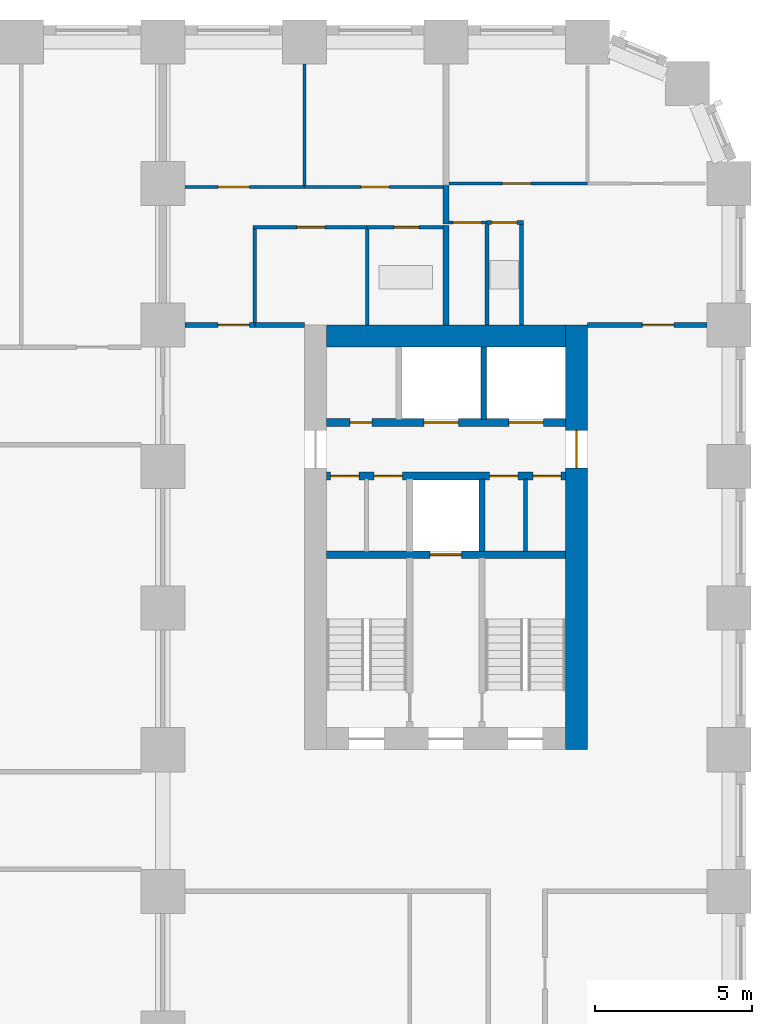
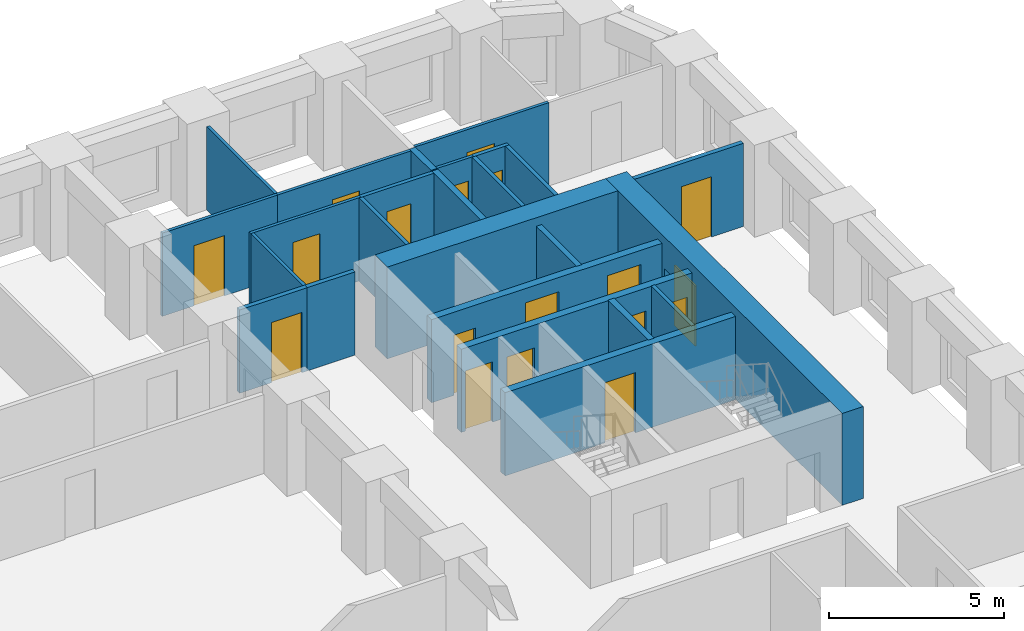
# One storey, part 8 of 12: 25 walls, 18 doors, 18 openings.
"""IFC4 building model written with IfcOpenShell, lengths in metres."""

from ifc_helpers import new_model, si_unit, direction, frame, frame_2d, origin, place, context, subcontext, project, spatial, rectangle, extrude, material, layer, layer_set, type_object, element, fill, save


model = new_model("IFC4")

# Units and contexts
model_context = context("Model", 3, precision=1e-05, world=origin(), true_north=direction((0.0, 1.0)))
body_context = subcontext(model_context, "Body", "Model", "MODEL_VIEW")
ifc_project = project(units=[si_unit("LENGTHUNIT", "METRE"), si_unit("AREAUNIT", "SQUARE_METRE"), si_unit("VOLUMEUNIT", "CUBIC_METRE"), si_unit("PLANEANGLEUNIT", "RADIAN"), si_unit("MASSUNIT", "GRAM", prefix="KILO")], contexts=[model_context])

# Site, building, storey
site_placement = place(None, origin())
site = spatial("IfcSite", under=ifc_project, at=site_placement, CompositionType="ELEMENT")
building_placement = place(site_placement, origin())
building = spatial("IfcBuilding", under=site, at=building_placement, Name="Girih Gate Residences", CompositionType="ELEMENT")
storey_placement = place(building_placement, frame((0.0, 0.0, 62.39990234375)))
storey = spatial("IfcBuildingStorey", under=building, at=storey_placement, Name="L16", CompositionType="ELEMENT", Elevation=62.39990234375)

# Wall, opening, door
ifc_material_1 = material(Name="Gypsum board on steel studs", Category="steel")
ifc_layer_1 = layer(ifc_material_1, 0.14990234375)
ifc_layer_set_1 = layer_set([ifc_layer_1], Name="Compartment wall 150 mm")
wall_type_1 = type_object("IfcWallType", Name="Compartment wall 150 mm", PredefinedType="PARTITIONING", material=ifc_layer_set_1)
wall_1_placement = place(storey_placement, frame((45.0, 40.5, 0.0), z_axis=(0.0, 0.0, 1.0), x_axis=(1.0, 0.0, 0.0)))
wall_1 = element("IfcWall", 1, at=wall_1_placement, inside=storey, type_object=wall_type_1, Name="L16 partition", PredefinedType="PARTITIONING", context=body_context, shape_type="SweptSolid", body=[
    extrude(rectangle(XDim=3.800048828125, YDim=0.14990234375, at=frame_2d((1.89990234375, 0.0))), origin(), (0.0, 0.0, 1.0), 2.900146484375),
])
opening_1_placement = place(wall_1_placement, frame((1.75, 0.0, 0.0)))
opening_1 = element("IfcOpeningElement", 2, at=opening_1_placement, cuts=wall_1, Name="Opening A16-032", PredefinedType="OPENING", context=body_context, shape_type="SweptSolid", body=[
    extrude(rectangle(XDim=1.0, YDim=2.10009765625, at=frame_2d((0.5, 1.050048828125))), frame((0.0, 0.0849609375, 0.0), z_axis=(0.0, -1.0, 0.0), x_axis=(1.0, 0.0, 0.0)), (0.0, 0.0, 1.0), 0.169921875),
])
ifc_material_2 = material(Name="Timber, fire-rated core", Category="wood")
door_type_1 = type_object("IfcDoorType", Name="Flat entrance door 1000x2100 FD30S", OperationType="NOTDEFINED", PredefinedType="DOOR", material=ifc_material_2)
door_1_placement = place(opening_1_placement, origin())
door_1 = element("IfcDoor", 3, at=door_1_placement, inside=storey, type_object=door_type_1, Name="Door A16-032", OperationType="SINGLE_SWING_RIGHT", OverallHeight=2.10009765625, OverallWidth=1.0, PredefinedType="DOOR", context=body_context, shape_type="SweptSolid", body=[
    extrude(rectangle(XDim=1.0, YDim=2.10009765625, at=frame_2d((0.5, 1.050048828125))), frame((0.0, 0.02490234375, 0.0), z_axis=(0.0, -1.0, 0.0), x_axis=(1.0, 0.0, 0.0)), (0.0, 0.0, 1.0), 0.050048828125),
])
fill(opening_1, door_1)

wall_2_placement = place(storey_placement, frame((32.199951171875, 40.5, 0.0), z_axis=(0.0, 0.0, 1.0), x_axis=(1.0, 0.0, 0.0)))
wall_2 = element("IfcWall", 4, at=wall_2_placement, inside=storey, type_object=wall_type_1, Name="L16 partition", PredefinedType="PARTITIONING", context=body_context, shape_type="SweptSolid", body=[
    extrude(rectangle(XDim=2.22509765625, YDim=0.14990234375, at=frame_2d((1.112548828125, 0.0))), origin(), (0.0, 0.0, 1.0), 2.900146484375),
])
opening_2_placement = place(wall_2_placement, frame((1.050048828125, 0.0, 0.0)))
opening_2 = element("IfcOpeningElement", 5, at=opening_2_placement, cuts=wall_2, Name="Opening A16-037", PredefinedType="OPENING", context=body_context, shape_type="SweptSolid", body=[
    extrude(rectangle(XDim=1.0, YDim=2.10009765625, at=frame_2d((0.5, 1.050048828125))), frame((0.0, 0.0849609375, 0.0), z_axis=(0.0, -1.0, 0.0), x_axis=(1.0, 0.0, 0.0)), (0.0, 0.0, 1.0), 0.169921875),
])
door_2_placement = place(opening_2_placement, origin())
door_2 = element("IfcDoor", 6, at=door_2_placement, inside=storey, type_object=door_type_1, Name="Door A16-037", OperationType="SINGLE_SWING_RIGHT", OverallHeight=2.10009765625, OverallWidth=1.0, PredefinedType="DOOR", context=body_context, shape_type="SweptSolid", body=[
    extrude(rectangle(XDim=1.0, YDim=2.10009765625, at=frame_2d((0.5, 1.050048828125))), frame((0.0, 0.02490234375, 0.0), z_axis=(0.0, -1.0, 0.0), x_axis=(1.0, 0.0, 0.0)), (0.0, 0.0, 1.0), 0.050048828125),
])
fill(opening_2, door_2)

# Walls
wall_3_placement = place(storey_placement, frame((34.425048828125, 40.5, 0.0), z_axis=(0.0, 0.0, 1.0), x_axis=(1.0, 0.0, 0.0)))
element("IfcWall", 7, at=wall_3_placement, inside=storey, type_object=wall_type_1, Name="L16 partition", PredefinedType="PARTITIONING", context=body_context, shape_type="SweptSolid", body=[
    extrude(rectangle(XDim=1.574951171875, YDim=0.14990234375, at=frame_2d((0.78759765625, 0.0))), origin(), (0.0, 0.0, 1.0), 2.900146484375),
])
ifc_material_3 = material(Name="Concrete C60/75", Category="concrete")
ifc_layer_2 = layer(ifc_material_3, 0.699951171875)
ifc_layer_set_2 = layer_set([ifc_layer_2], Name="Core wall RC 700 Concrete C60/75")
wall_type_2 = type_object("IfcWallType", Name="Core wall RC 700 Concrete C60/75", PredefinedType="SOLIDWALL", material=ifc_layer_set_2)
wall_4_placement = place(storey_placement, frame((36.699951171875, 40.14990234375, 0.0), z_axis=(0.0, 0.0, 1.0), x_axis=(1.0, 0.0, 0.0)))
element("IfcWall", 8, at=wall_4_placement, inside=storey, type_object=wall_type_2, Name="Core wall E-N L16", PredefinedType="SOLIDWALL", context=body_context, shape_type="SweptSolid", body=[
    extrude(rectangle(XDim=7.60009765625, YDim=0.699951171875, at=frame_2d((3.800048828125, 0.0))), origin(), (0.0, 0.0, 1.0), 3.2001953125),
])

# Wall, opening, door
wall_5_placement = place(storey_placement, frame((44.64990234375, 27.0, 0.0), z_axis=(0.0, 0.0, 1.0), x_axis=(0.0, 1.0, 0.0)))
wall_5 = element("IfcWall", 9, at=wall_5_placement, inside=storey, type_object=wall_type_2, Name="Core wall E-E L16", PredefinedType="SOLIDWALL", context=body_context, shape_type="SweptSolid", body=[
    extrude(rectangle(XDim=13.5, YDim=0.699951171875, at=frame_2d((6.75, 0.0))), origin(), (0.0, 0.0, 1.0), 3.2001953125),
])
opening_3_placement = place(wall_5_placement, frame((8.949951171875, 0.0, 0.0)))
opening_3 = element("IfcOpeningElement", 10, at=opening_3_placement, cuts=wall_5, Name="Opening D-L16-E-015", PredefinedType="OPENING", context=body_context, shape_type="SweptSolid", body=[
    extrude(rectangle(XDim=1.199951171875, YDim=2.10009765625, at=frame_2d((0.60009765625, 1.050048828125))), frame((0.0, 0.35986328125, 0.0), z_axis=(0.0, -1.0, 0.0), x_axis=(1.0, 0.0, 0.0)), (0.0, 0.0, 1.0), 0.719970703125),
])
ifc_material_4 = material(Name="Painted steel, fire-resisting", Category="steel")
door_type_2 = type_object("IfcDoorType", Name="Fire door 1200x2100", OperationType="SINGLE_SWING_LEFT", PredefinedType="DOOR", material=ifc_material_4)
door_3_placement = place(opening_3_placement, origin())
door_3 = element("IfcDoor", 11, at=door_3_placement, inside=storey, type_object=door_type_2, Name="L16 E core door ll-e", OperationType="SINGLE_SWING_LEFT", OverallHeight=2.10009765625, OverallWidth=1.199951171875, PredefinedType="DOOR", context=body_context, shape_type="SweptSolid", body=[
    extrude(rectangle(XDim=1.199951171875, YDim=2.10009765625, at=frame_2d((0.60009765625, 1.050048828125))), frame((0.0, 0.02490234375, 0.0), z_axis=(0.0, -1.0, 0.0), x_axis=(1.0, 0.0, 0.0)), (0.0, 0.0, 1.0), 0.050048828125),
])
fill(opening_3, door_3)

ifc_material_5 = material(Name="Concrete C40/50", Category="concrete")
ifc_layer_3 = layer(ifc_material_5, 0.25)
ifc_layer_set_3 = layer_set([ifc_layer_3], Name="Lift shaft wall 250")
wall_type_3 = type_object("IfcWallType", Name="Lift shaft wall 250", PredefinedType="SOLIDWALL", material=ifc_layer_set_3)
wall_6_placement = place(storey_placement, frame((36.699951171875, 33.199951171875, 0.0), z_axis=(0.0, 0.0, 1.0), x_axis=(1.0, 0.0, 0.0)))
wall_6 = element("IfcWall", 12, at=wall_6_placement, inside=storey, type_object=wall_type_3, Name="L16 E core wall H1", PredefinedType="SOLIDWALL", context=body_context, shape_type="SweptSolid", body=[
    extrude(rectangle(XDim=7.60009765625, YDim=0.25, at=frame_2d((3.800048828125, 0.0))), origin(), (0.0, 0.0, 1.0), 2.900146484375),
])
opening_4_placement = place(wall_6_placement, frame((3.300048828125, 0.0, 0.0)))
opening_4 = element("IfcOpeningElement", 13, at=opening_4_placement, cuts=wall_6, Name="Opening D-L16-E-005", PredefinedType="OPENING", context=body_context, shape_type="SweptSolid", body=[
    extrude(rectangle(XDim=1.0, YDim=2.10009765625, at=frame_2d((0.5, 1.050048828125))), frame((0.0, 0.135009765625, 0.0), z_axis=(0.0, -1.0, 0.0), x_axis=(1.0, 0.0, 0.0)), (0.0, 0.0, 1.0), 0.27001953125),
])
ifc_material_6 = material(Name="Stainless steel, fire-resisting", Category="steel")
door_type_3 = type_object("IfcDoorType", Name="Firefighting lift landing door 1000x2100", OperationType="SLIDING_TO_LEFT", PredefinedType="DOOR", material=ifc_material_6)
door_4_placement = place(opening_4_placement, origin())
door_4 = element("IfcDoor", 14, at=door_4_placement, inside=storey, type_object=door_type_3, Name="L16 lift FF-E landing door", OperationType="SLIDING_TO_LEFT", OverallHeight=2.10009765625, OverallWidth=1.0, PredefinedType="DOOR", context=body_context, shape_type="SweptSolid", body=[
    extrude(rectangle(XDim=1.0, YDim=2.10009765625, at=frame_2d((0.5, 1.050048828125))), frame((0.0, 0.02490234375, 0.0), z_axis=(0.0, -1.0, 0.0), x_axis=(1.0, 0.0, 0.0)), (0.0, 0.0, 1.0), 0.050048828125),
])
fill(opening_4, door_4)

# Wall, openings, doors
wall_7_placement = place(storey_placement, frame((36.699951171875, 35.699951171875, 0.0), z_axis=(0.0, 0.0, 1.0), x_axis=(1.0, 0.0, 0.0)))
wall_7 = element("IfcWall", 15, at=wall_7_placement, inside=storey, type_object=wall_type_3, Name="L16 E core wall H2", PredefinedType="SOLIDWALL", context=body_context, shape_type="SweptSolid", body=[
    extrude(rectangle(XDim=7.60009765625, YDim=0.25, at=frame_2d((3.800048828125, 0.0))), origin(), (0.0, 0.0, 1.0), 2.900146484375),
])
opening_5_placement = place(wall_7_placement, frame((6.5625, 0.0, 0.0)))
opening_5 = element("IfcOpeningElement", 16, at=opening_5_placement, cuts=wall_7, Name="Opening D-L16-E-007", PredefinedType="OPENING", context=body_context, shape_type="SweptSolid", body=[
    extrude(rectangle(XDim=0.89990234375, YDim=2.10009765625, at=frame_2d((0.449951171875, 1.050048828125))), frame((0.0, 0.135009765625, 0.0), z_axis=(0.0, -1.0, 0.0), x_axis=(1.0, 0.0, 0.0)), (0.0, 0.0, 1.0), 0.27001953125),
])
opening_6_placement = place(wall_7_placement, frame((5.1875, 0.0, 0.0)))
opening_6 = element("IfcOpeningElement", 17, at=opening_6_placement, cuts=wall_7, Name="Opening D-L16-E-008", PredefinedType="OPENING", context=body_context, shape_type="SweptSolid", body=[
    extrude(rectangle(XDim=0.89990234375, YDim=2.10009765625, at=frame_2d((0.449951171875, 1.050048828125))), frame((0.0, 0.135009765625, 0.0), z_axis=(0.0, -1.0, 0.0), x_axis=(1.0, 0.0, 0.0)), (0.0, 0.0, 1.0), 0.27001953125),
])
opening_7_placement = place(wall_7_placement, frame((1.512451171875, 0.0, 0.0)))
opening_7 = element("IfcOpeningElement", 18, at=opening_7_placement, cuts=wall_7, Name="Opening D-L16-E-009", PredefinedType="OPENING", context=body_context, shape_type="SweptSolid", body=[
    extrude(rectangle(XDim=0.89990234375, YDim=2.10009765625, at=frame_2d((0.449951171875, 1.050048828125))), frame((0.0, 0.135009765625, 0.0), z_axis=(0.0, -1.0, 0.0), x_axis=(1.0, 0.0, 0.0)), (0.0, 0.0, 1.0), 0.27001953125),
])
opening_8_placement = place(wall_7_placement, frame((0.137451171875, 0.0, 0.0)))
opening_8 = element("IfcOpeningElement", 19, at=opening_8_placement, cuts=wall_7, Name="Opening D-L16-E-010", PredefinedType="OPENING", context=body_context, shape_type="SweptSolid", body=[
    extrude(rectangle(XDim=0.89990234375, YDim=2.10009765625, at=frame_2d((0.449951171875, 1.050048828125))), frame((0.0, 0.135009765625, 0.0), z_axis=(0.0, -1.0, 0.0), x_axis=(1.0, 0.0, 0.0)), (0.0, 0.0, 1.0), 0.27001953125),
])
door_type_4 = type_object("IfcDoorType", Name="Fire door 900x2100", OperationType="SINGLE_SWING_LEFT", PredefinedType="DOOR", material=ifc_material_4)
door_5_placement = place(opening_5_placement, origin())
door_5 = element("IfcDoor", 20, at=door_5_placement, inside=storey, type_object=door_type_4, Name="L16 E electrical room door", OperationType="SINGLE_SWING_LEFT", OverallHeight=2.10009765625, OverallWidth=0.89990234375, PredefinedType="DOOR", context=body_context, shape_type="SweptSolid", body=[
    extrude(rectangle(XDim=0.89990234375, YDim=2.10009765625, at=frame_2d((0.449951171875, 1.050048828125))), frame((0.0, 0.02490234375, 0.0), z_axis=(0.0, -1.0, 0.0), x_axis=(1.0, 0.0, 0.0)), (0.0, 0.0, 1.0), 0.050048828125),
])
fill(opening_5, door_5)
door_6_placement = place(opening_6_placement, origin())
door_6 = element("IfcDoor", 21, at=door_6_placement, inside=storey, type_object=door_type_4, Name="L16 E pantry door", OperationType="SINGLE_SWING_LEFT", OverallHeight=2.10009765625, OverallWidth=0.89990234375, PredefinedType="DOOR", context=body_context, shape_type="SweptSolid", body=[
    extrude(rectangle(XDim=0.89990234375, YDim=2.10009765625, at=frame_2d((0.449951171875, 1.050048828125))), frame((0.0, 0.02490234375, 0.0), z_axis=(0.0, -1.0, 0.0), x_axis=(1.0, 0.0, 0.0)), (0.0, 0.0, 1.0), 0.050048828125),
])
fill(opening_6, door_6)
door_7_placement = place(opening_7_placement, origin())
door_7 = element("IfcDoor", 22, at=door_7_placement, inside=storey, type_object=door_type_4, Name="L16 E store door", OperationType="SINGLE_SWING_LEFT", OverallHeight=2.10009765625, OverallWidth=0.89990234375, PredefinedType="DOOR", context=body_context, shape_type="SweptSolid", body=[
    extrude(rectangle(XDim=0.89990234375, YDim=2.10009765625, at=frame_2d((0.449951171875, 1.050048828125))), frame((0.0, 0.02490234375, 0.0), z_axis=(0.0, -1.0, 0.0), x_axis=(1.0, 0.0, 0.0)), (0.0, 0.0, 1.0), 0.050048828125),
])
fill(opening_7, door_7)
door_8_placement = place(opening_8_placement, origin())
door_8 = element("IfcDoor", 23, at=door_8_placement, inside=storey, type_object=door_type_4, Name="L16 E comms room door", OperationType="SINGLE_SWING_LEFT", OverallHeight=2.10009765625, OverallWidth=0.89990234375, PredefinedType="DOOR", context=body_context, shape_type="SweptSolid", body=[
    extrude(rectangle(XDim=0.89990234375, YDim=2.10009765625, at=frame_2d((0.449951171875, 1.050048828125))), frame((0.0, 0.02490234375, 0.0), z_axis=(0.0, -1.0, 0.0), x_axis=(1.0, 0.0, 0.0)), (0.0, 0.0, 1.0), 0.050048828125),
])
fill(opening_8, door_8)

wall_8_placement = place(storey_placement, frame((36.699951171875, 37.39990234375, 0.0), z_axis=(0.0, 0.0, 1.0), x_axis=(1.0, 0.0, 0.0)))
wall_8 = element("IfcWall", 24, at=wall_8_placement, inside=storey, type_object=wall_type_3, Name="L16 E core wall H3", PredefinedType="SOLIDWALL", context=body_context, shape_type="SweptSolid", body=[
    extrude(rectangle(XDim=7.60009765625, YDim=0.25, at=frame_2d((3.800048828125, 0.0))), origin(), (0.0, 0.0, 1.0), 2.900146484375),
])
opening_9_placement = place(wall_8_placement, frame((5.800048828125, 0.0, 0.0)))
opening_9 = element("IfcOpeningElement", 25, at=opening_9_placement, cuts=wall_8, Name="Opening D-L16-E-003", PredefinedType="OPENING", context=body_context, shape_type="SweptSolid", body=[
    extrude(rectangle(XDim=1.10009765625, YDim=2.39990234375, at=frame_2d((0.550048828125, 1.199951171875))), frame((0.0, 0.135009765625, 0.0), z_axis=(0.0, -1.0, 0.0), x_axis=(1.0, 0.0, 0.0)), (0.0, 0.0, 1.0), 0.27001953125),
])
opening_10_placement = place(wall_8_placement, frame((3.10009765625, 0.0, 0.0)))
opening_10 = element("IfcOpeningElement", 26, at=opening_10_placement, cuts=wall_8, Name="Opening D-L16-E-004", PredefinedType="OPENING", context=body_context, shape_type="SweptSolid", body=[
    extrude(rectangle(XDim=1.10009765625, YDim=2.39990234375, at=frame_2d((0.550048828125, 1.199951171875))), frame((0.0, 0.135009765625, 0.0), z_axis=(0.0, -1.0, 0.0), x_axis=(1.0, 0.0, 0.0)), (0.0, 0.0, 1.0), 0.27001953125),
])
opening_11_placement = place(wall_8_placement, frame((0.75, 0.0, 0.0)))
opening_11 = element("IfcOpeningElement", 27, at=opening_11_placement, cuts=wall_8, Name="Opening D-L16-E-006", PredefinedType="OPENING", context=body_context, shape_type="SweptSolid", body=[
    extrude(rectangle(XDim=0.699951171875, YDim=2.10009765625, at=frame_2d((0.35009765625, 1.050048828125))), frame((0.0, 0.135009765625, 0.0), z_axis=(0.0, -1.0, 0.0), x_axis=(1.0, 0.0, 0.0)), (0.0, 0.0, 1.0), 0.27001953125),
])
ifc_material_7 = material(Name="Stainless steel", Category="steel")
door_type_5 = type_object("IfcDoorType", Name="Lift landing door 1100x2400", OperationType="SLIDING_TO_LEFT", PredefinedType="DOOR", material=ifc_material_7)
door_9_placement = place(opening_9_placement, origin())
door_9 = element("IfcDoor", 28, at=door_9_placement, inside=storey, type_object=door_type_5, Name="L16 lift LR-E1 landing door", OperationType="SLIDING_TO_LEFT", OverallHeight=2.39990234375, OverallWidth=1.10009765625, PredefinedType="DOOR", context=body_context, shape_type="SweptSolid", body=[
    extrude(rectangle(XDim=1.10009765625, YDim=2.39990234375, at=frame_2d((0.550048828125, 1.199951171875))), frame((0.0, 0.02490234375, 0.0), z_axis=(0.0, -1.0, 0.0), x_axis=(1.0, 0.0, 0.0)), (0.0, 0.0, 1.0), 0.050048828125),
])
fill(opening_9, door_9)
door_10_placement = place(opening_10_placement, origin())
door_10 = element("IfcDoor", 29, at=door_10_placement, inside=storey, type_object=door_type_5, Name="L16 lift LR-E2 landing door", OperationType="SLIDING_TO_LEFT", OverallHeight=2.39990234375, OverallWidth=1.10009765625, PredefinedType="DOOR", context=body_context, shape_type="SweptSolid", body=[
    extrude(rectangle(XDim=1.10009765625, YDim=2.39990234375, at=frame_2d((0.550048828125, 1.199951171875))), frame((0.0, 0.02490234375, 0.0), z_axis=(0.0, -1.0, 0.0), x_axis=(1.0, 0.0, 0.0)), (0.0, 0.0, 1.0), 0.050048828125),
])
fill(opening_10, door_10)
door_type_6 = type_object("IfcDoorType", Name="Riser access door 700x2100", OperationType="SINGLE_SWING_LEFT", PredefinedType="DOOR", material=ifc_material_4)
door_11_placement = place(opening_11_placement, origin())
door_11 = element("IfcDoor", 30, at=door_11_placement, inside=storey, type_object=door_type_6, Name="L16 E riser room door", OperationType="SINGLE_SWING_LEFT", OverallHeight=2.10009765625, OverallWidth=0.699951171875, PredefinedType="DOOR", context=body_context, shape_type="SweptSolid", body=[
    extrude(rectangle(XDim=0.699951171875, YDim=2.10009765625, at=frame_2d((0.35009765625, 1.050048828125))), frame((0.0, 0.02490234375, 0.0), z_axis=(0.0, -1.0, 0.0), x_axis=(1.0, 0.0, 0.0)), (0.0, 0.0, 1.0), 0.050048828125),
])
fill(opening_11, door_11)

# Wall, opening, door
ifc_layer_4 = layer(ifc_material_1, 0.10009765625)
ifc_layer_set_4 = layer_set([ifc_layer_4], Name="Partition 100 mm")
wall_type_4 = type_object("IfcWallType", Name="Partition 100 mm", PredefinedType="PARTITIONING", material=ifc_layer_set_4)
wall_9_placement = place(storey_placement, frame((40.60009765625, 45.0, 0.0), z_axis=(0.0, 0.0, 1.0), x_axis=(1.0, 0.0, 0.0)))
wall_9 = element("IfcWall", 31, at=wall_9_placement, inside=storey, type_object=wall_type_4, Name="L16 partition", PredefinedType="PARTITIONING", context=body_context, shape_type="SweptSolid", body=[
    extrude(rectangle(XDim=4.39990234375, YDim=0.10009765625, at=frame_2d((2.199951171875, 0.0))), origin(), (0.0, 0.0, 1.0), 2.900146484375),
])
opening_12_placement = place(wall_9_placement, frame((1.699951171875, 0.0, 0.0)))
opening_12 = element("IfcOpeningElement", 32, at=opening_12_placement, cuts=wall_9, Name="Opening A16-029", PredefinedType="OPENING", context=body_context, shape_type="SweptSolid", body=[
    extrude(rectangle(XDim=0.89990234375, YDim=2.10009765625, at=frame_2d((0.449951171875, 1.050048828125))), frame((0.0, 0.06005859375, 0.0), z_axis=(0.0, -1.0, 0.0), x_axis=(1.0, 0.0, 0.0)), (0.0, 0.0, 1.0), 0.1201171875),
])
ifc_material_8 = material(Name="Timber", Category="wood")
door_type_7 = type_object("IfcDoorType", Name="Bedroom door 900x2100", OperationType="NOTDEFINED", PredefinedType="DOOR", material=ifc_material_8)
door_12_placement = place(opening_12_placement, origin())
door_12 = element("IfcDoor", 33, at=door_12_placement, inside=storey, type_object=door_type_7, Name="Door A16-029", OperationType="SINGLE_SWING_LEFT", OverallHeight=2.10009765625, OverallWidth=0.89990234375, PredefinedType="DOOR", context=body_context, shape_type="SweptSolid", body=[
    extrude(rectangle(XDim=0.89990234375, YDim=2.10009765625, at=frame_2d((0.449951171875, 1.050048828125))), frame((0.0, 0.02490234375, 0.0), z_axis=(0.0, -1.0, 0.0), x_axis=(1.0, 0.0, 0.0)), (0.0, 0.0, 1.0), 0.050048828125),
])
fill(opening_12, door_12)

wall_10_placement = place(storey_placement, frame((41.80908203125, 43.760009765625, 0.0), z_axis=(0.0, 0.0, 1.0), x_axis=(-1.0, 0.0, 0.0)))
wall_10 = element("IfcWall", 34, at=wall_10_placement, inside=storey, type_object=wall_type_4, Name="L16 partition", PredefinedType="PARTITIONING", context=body_context, shape_type="SweptSolid", body=[
    extrude(rectangle(XDim=1.208984375, YDim=0.10009765625, at=frame_2d((0.6044921875, 0.0))), origin(), (0.0, 0.0, 1.0), 2.900146484375),
])
opening_13_placement = place(wall_10_placement, frame((0.17919921875, 0.0, 0.0)))
opening_13 = element("IfcOpeningElement", 35, at=opening_13_placement, cuts=wall_10, Name="Opening A16-030", PredefinedType="OPENING", context=body_context, shape_type="SweptSolid", body=[
    extrude(rectangle(XDim=0.89990234375, YDim=2.10009765625, at=frame_2d((0.449951171875, 1.050048828125))), frame((0.0, 0.06005859375, 0.0), z_axis=(0.0, -1.0, 0.0), x_axis=(1.0, 0.0, 0.0)), (0.0, 0.0, 1.0), 0.1201171875),
])
door_type_8 = type_object("IfcDoorType", Name="Kitchen door 900x2100", OperationType="NOTDEFINED", PredefinedType="DOOR", material=ifc_material_8)
door_13_placement = place(opening_13_placement, origin())
door_13 = element("IfcDoor", 36, at=door_13_placement, inside=storey, type_object=door_type_8, Name="Door A16-030", OperationType="SINGLE_SWING_RIGHT", OverallHeight=2.10009765625, OverallWidth=0.89990234375, PredefinedType="DOOR", context=body_context, shape_type="SweptSolid", body=[
    extrude(rectangle(XDim=0.89990234375, YDim=2.10009765625, at=frame_2d((0.449951171875, 1.050048828125))), frame((0.0, 0.02490234375, 0.0), z_axis=(0.0, -1.0, 0.0), x_axis=(1.0, 0.0, 0.0)), (0.0, 0.0, 1.0), 0.050048828125),
])
fill(opening_13, door_13)

wall_11_placement = place(storey_placement, frame((36.0, 44.889892578125, 0.0), z_axis=(0.0, 0.0, 1.0), x_axis=(1.0, 0.0, 0.0)))
wall_11 = element("IfcWall", 37, at=wall_11_placement, inside=storey, type_object=wall_type_4, Name="L16 partition", PredefinedType="PARTITIONING", context=body_context, shape_type="SweptSolid", body=[
    extrude(rectangle(XDim=4.39990234375, YDim=0.10009765625, at=frame_2d((2.199951171875, 0.0))), origin(), (0.0, 0.0, 1.0), 2.900146484375),
])
opening_14_placement = place(wall_11_placement, frame((1.800048828125, 0.0, 0.0)))
opening_14 = element("IfcOpeningElement", 38, at=opening_14_placement, cuts=wall_11, Name="Opening A16-034", PredefinedType="OPENING", context=body_context, shape_type="SweptSolid", body=[
    extrude(rectangle(XDim=0.89990234375, YDim=2.10009765625, at=frame_2d((0.449951171875, 1.050048828125))), frame((0.0, 0.06005859375, 0.0), z_axis=(0.0, -1.0, 0.0), x_axis=(1.0, 0.0, 0.0)), (0.0, 0.0, 1.0), 0.1201171875),
])
door_14_placement = place(opening_14_placement, origin())
door_14 = element("IfcDoor", 39, at=door_14_placement, inside=storey, type_object=door_type_7, Name="Door A16-034", OperationType="SINGLE_SWING_RIGHT", OverallHeight=2.10009765625, OverallWidth=0.89990234375, PredefinedType="DOOR", context=body_context, shape_type="SweptSolid", body=[
    extrude(rectangle(XDim=0.89990234375, YDim=2.10009765625, at=frame_2d((0.449951171875, 1.050048828125))), frame((0.0, 0.02490234375, 0.0), z_axis=(0.0, -1.0, 0.0), x_axis=(1.0, 0.0, 0.0)), (0.0, 0.0, 1.0), 0.050048828125),
])
fill(opening_14, door_14)

# Wall
wall_12_placement = place(storey_placement, frame((36.0, 44.93994140625, 0.0), z_axis=(0.0, 0.0, 1.0), x_axis=(0.0, 1.0, 0.0)))
element("IfcWall", 40, at=wall_12_placement, inside=storey, type_object=wall_type_4, Name="L16 partition", PredefinedType="PARTITIONING", context=body_context, shape_type="SweptSolid", body=[
    extrude(rectangle(XDim=3.860107421875, YDim=0.10009765625, at=frame_2d((1.93017578125, 0.0))), origin(), (0.0, 0.0, 1.0), 2.900146484375),
])

# Wall, opening, door
wall_13_placement = place(storey_placement, frame((37.99951171875, 43.610107421875, 0.0), z_axis=(0.0, 0.0, 1.0), x_axis=(-1.0, 0.0, 0.0)))
wall_13 = element("IfcWall", 41, at=wall_13_placement, inside=storey, type_object=wall_type_4, Name="L16 partition", PredefinedType="PARTITIONING", context=body_context, shape_type="SweptSolid", body=[
    extrude(rectangle(XDim=3.62451171875, YDim=0.10009765625, at=frame_2d((1.812255859375, 0.0))), origin(), (0.0, 0.0, 1.0), 2.900146484375),
])
opening_15_placement = place(wall_13_placement, frame((1.33740234375, 0.0, 0.0)))
opening_15 = element("IfcOpeningElement", 42, at=opening_15_placement, cuts=wall_13, Name="Opening A16-035", PredefinedType="OPENING", context=body_context, shape_type="SweptSolid", body=[
    extrude(rectangle(XDim=0.89990234375, YDim=2.10009765625, at=frame_2d((0.449951171875, 1.050048828125))), frame((0.0, 0.06005859375, 0.0), z_axis=(0.0, -1.0, 0.0), x_axis=(1.0, 0.0, 0.0)), (0.0, 0.0, 1.0), 0.1201171875),
])
door_15_placement = place(opening_15_placement, origin())
door_15 = element("IfcDoor", 43, at=door_15_placement, inside=storey, type_object=door_type_8, Name="Door A16-035", OperationType="SINGLE_SWING_LEFT", OverallHeight=2.10009765625, OverallWidth=0.89990234375, PredefinedType="DOOR", context=body_context, shape_type="SweptSolid", body=[
    extrude(rectangle(XDim=0.89990234375, YDim=2.10009765625, at=frame_2d((0.449951171875, 1.050048828125))), frame((0.0, 0.02490234375, 0.0), z_axis=(0.0, -1.0, 0.0), x_axis=(1.0, 0.0, 0.0)), (0.0, 0.0, 1.0), 0.050048828125),
])
fill(opening_15, door_15)

# Wall
wall_14_placement = place(storey_placement, frame((34.425048828125, 40.574951171875, 0.0), z_axis=(0.0, 0.0, 1.0), x_axis=(0.0, 1.0, 0.0)))
element("IfcWall", 44, at=wall_14_placement, inside=storey, type_object=wall_type_4, Name="L16 partition", PredefinedType="PARTITIONING", context=body_context, shape_type="SweptSolid", body=[
    extrude(rectangle(XDim=2.985107421875, YDim=0.10009765625, at=frame_2d((1.49267578125, 0.0))), origin(), (0.0, 0.0, 1.0), 2.900146484375),
])

# Wall, opening, door
wall_15_placement = place(storey_placement, frame((32.199951171875, 44.889892578125, 0.0), z_axis=(0.0, 0.0, 1.0), x_axis=(1.0, 0.0, 0.0)))
wall_15 = element("IfcWall", 45, at=wall_15_placement, inside=storey, type_object=wall_type_4, Name="L16 partition", PredefinedType="PARTITIONING", context=body_context, shape_type="SweptSolid", body=[
    extrude(rectangle(XDim=3.800048828125, YDim=0.10009765625, at=frame_2d((1.89990234375, 0.0))), origin(), (0.0, 0.0, 1.0), 2.900146484375),
])
opening_16_placement = place(wall_15_placement, frame((1.050048828125, 0.0, 0.0)))
opening_16 = element("IfcOpeningElement", 46, at=opening_16_placement, cuts=wall_15, Name="Opening A16-036", PredefinedType="OPENING", context=body_context, shape_type="SweptSolid", body=[
    extrude(rectangle(XDim=1.0, YDim=2.10009765625, at=frame_2d((0.5, 1.050048828125))), frame((0.0, 0.06005859375, 0.0), z_axis=(0.0, -1.0, 0.0), x_axis=(1.0, 0.0, 0.0)), (0.0, 0.0, 1.0), 0.1201171875),
])
door_type_9 = type_object("IfcDoorType", Name="Living room door 1000x2100", OperationType="NOTDEFINED", PredefinedType="DOOR", material=ifc_material_8)
door_16_placement = place(opening_16_placement, origin())
door_16 = element("IfcDoor", 47, at=door_16_placement, inside=storey, type_object=door_type_9, Name="Door A16-036", OperationType="SINGLE_SWING_LEFT", OverallHeight=2.10009765625, OverallWidth=1.0, PredefinedType="DOOR", context=body_context, shape_type="SweptSolid", body=[
    extrude(rectangle(XDim=1.0, YDim=2.10009765625, at=frame_2d((0.5, 1.050048828125))), frame((0.0, 0.02490234375, 0.0), z_axis=(0.0, -1.0, 0.0), x_axis=(1.0, 0.0, 0.0)), (0.0, 0.0, 1.0), 0.050048828125),
])
fill(opening_16, door_16)

# Walls
ifc_layer_5 = layer(ifc_material_1, 0.199951171875)
ifc_layer_set_5 = layer_set([ifc_layer_5], Name="Party wall 200 mm")
wall_type_5 = type_object("IfcWallType", Name="Party wall 200 mm", PredefinedType="PARTITIONING", material=ifc_layer_set_5)
wall_16_placement = place(storey_placement, frame((40.5, 43.7099609375, 0.0), z_axis=(0.0, 0.0, 1.0), x_axis=(0.0, 1.0, 0.0)))
element("IfcWall", 48, at=wall_16_placement, inside=storey, type_object=wall_type_5, Name="L16 partition", PredefinedType="PARTITIONING", context=body_context, shape_type="SweptSolid", body=[
    extrude(rectangle(XDim=1.22998046875, YDim=0.199951171875, at=frame_2d((0.614990234375, 0.0))), origin(), (0.0, 0.0, 1.0), 2.900146484375),
])
wall_17_placement = place(storey_placement, frame((40.5, 40.5, 0.0), z_axis=(0.0, 0.0, 1.0), x_axis=(0.0, 1.0, 0.0)))
element("IfcWall", 49, at=wall_17_placement, inside=storey, type_object=wall_type_5, Name="L16 partition", PredefinedType="PARTITIONING", context=body_context, shape_type="SweptSolid", body=[
    extrude(rectangle(XDim=3.172607421875, YDim=0.199951171875, at=frame_2d((1.58642578125, 0.0))), origin(), (0.0, 0.0, 1.0), 2.900146484375),
])
ifc_layer_6 = layer(ifc_material_5, 0.175048828125)
ifc_layer_set_6 = layer_set([ifc_layer_6], Name="Riser shaft wall 175")
wall_type_6 = type_object("IfcWallType", Name="Riser shaft wall 175", PredefinedType="SOLIDWALL", material=ifc_layer_set_6)
wall_18_placement = place(storey_placement, frame((41.699951171875, 37.5, 0.0), z_axis=(0.0, 0.0, 1.0), x_axis=(0.0, 1.0, 0.0)))
element("IfcWall", 50, at=wall_18_placement, inside=storey, type_object=wall_type_6, Name="L16 E core wall V1c", PredefinedType="SOLIDWALL", context=body_context, shape_type="SweptSolid", body=[
    extrude(rectangle(XDim=2.300048828125, YDim=0.175048828125, at=frame_2d((1.14990234375, 0.0))), origin(), (0.0, 0.0, 1.0), 2.900146484375),
])
ifc_layer_7 = layer(ifc_material_5, 0.199951171875)
ifc_layer_set_7 = layer_set([ifc_layer_7], Name="Shaft wall 200")
wall_type_7 = type_object("IfcWallType", Name="Shaft wall 200", PredefinedType="SOLIDWALL", material=ifc_layer_set_7)
wall_19_placement = place(storey_placement, frame((41.64990234375, 33.300048828125, 0.0), z_axis=(0.0, 0.0, 1.0), x_axis=(0.0, 1.0, 0.0)))
element("IfcWall", 51, at=wall_19_placement, inside=storey, type_object=wall_type_7, Name="L16 E core wall V1b", PredefinedType="SOLIDWALL", context=body_context, shape_type="SweptSolid", body=[
    extrude(rectangle(XDim=2.300048828125, YDim=0.199951171875, at=frame_2d((1.14990234375, 0.0))), origin(), (0.0, 0.0, 1.0), 2.900146484375),
])
ifc_material_9 = material(Name="Calcium silicate blockwork", Category="masonry")
ifc_layer_8 = layer(ifc_material_9, 0.125)
ifc_layer_set_8 = layer_set([ifc_layer_8], Name="Store partition 125")
wall_type_8 = type_object("IfcWallType", Name="Store partition 125", PredefinedType="PARTITIONING", material=ifc_layer_set_8)
wall_20_placement = place(storey_placement, frame((43.02490234375, 33.300048828125, 0.0), z_axis=(0.0, 0.0, 1.0), x_axis=(0.0, 1.0, 0.0)))
element("IfcWall", 52, at=wall_20_placement, inside=storey, type_object=wall_type_8, Name="L16 E core wall SHR1", PredefinedType="PARTITIONING", context=body_context, shape_type="SweptSolid", body=[
    extrude(rectangle(XDim=2.300048828125, YDim=0.125, at=frame_2d((1.14990234375, 0.0))), origin(), (0.0, 0.0, 1.0), 2.900146484375),
])

# Wall, opening, door
ifc_layer_9 = layer(ifc_material_1, 0.125)
ifc_layer_set_9 = layer_set([ifc_layer_9], Name="Wet room wall 125 mm")
wall_type_9 = type_object("IfcWallType", Name="Wet room wall 125 mm", PredefinedType="PARTITIONING", material=ifc_layer_set_9)
wall_21_placement = place(storey_placement, frame((42.96240234375, 43.760009765625, 0.0), z_axis=(0.0, 0.0, 1.0), x_axis=(-1.0, 0.0, 0.0)))
wall_21 = element("IfcWall", 53, at=wall_21_placement, inside=storey, type_object=wall_type_9, Name="L16 partition", PredefinedType="PARTITIONING", context=body_context, shape_type="SweptSolid", body=[
    extrude(rectangle(XDim=1.1533203125, YDim=0.125, at=frame_2d((0.57666015625, 0.0))), origin(), (0.0, 0.0, 1.0), 2.900146484375),
])
opening_17_placement = place(wall_21_placement, frame((0.2080078125, 0.0, 0.0)))
opening_17 = element("IfcOpeningElement", 54, at=opening_17_placement, cuts=wall_21, Name="Opening A16-028", PredefinedType="OPENING", context=body_context, shape_type="SweptSolid", body=[
    extrude(rectangle(XDim=0.800048828125, YDim=2.10009765625, at=frame_2d((0.39990234375, 1.050048828125))), frame((0.0, 0.072509765625, 0.0), z_axis=(0.0, -1.0, 0.0), x_axis=(1.0, 0.0, 0.0)), (0.0, 0.0, 1.0), 0.14501953125),
])
door_type_10 = type_object("IfcDoorType", Name="Bathroom door 800x2100", OperationType="NOTDEFINED", PredefinedType="DOOR", material=ifc_material_8)
door_17_placement = place(opening_17_placement, origin())
door_17 = element("IfcDoor", 55, at=door_17_placement, inside=storey, type_object=door_type_10, Name="Door A16-028", OperationType="SINGLE_SWING_RIGHT", OverallHeight=2.10009765625, OverallWidth=0.800048828125, PredefinedType="DOOR", context=body_context, shape_type="SweptSolid", body=[
    extrude(rectangle(XDim=0.800048828125, YDim=2.10009765625, at=frame_2d((0.39990234375, 1.050048828125))), frame((0.0, 0.02490234375, 0.0), z_axis=(0.0, -1.0, 0.0), x_axis=(1.0, 0.0, 0.0)), (0.0, 0.0, 1.0), 0.050048828125),
])
fill(opening_17, door_17)

# Walls
for number, where, z_axis, x_axis, name in (
    (56, (42.89990234375, 40.5, 0.0), (0.0, 0.0, 1.0), (0.0, 1.0, 0.0), "L16 partition"),
    (57, (41.80908203125, 40.5, 0.0), (0.0, 0.0, 1.0), (0.0, 1.0, 0.0), "L16 partition"),
):
    element("IfcWall", number, at=place(storey_placement, frame(where, z_axis=z_axis, x_axis=x_axis)), inside=storey, type_object=wall_type_9, Name=name, PredefinedType="PARTITIONING", context=body_context, shape_type="SweptSolid", body=[
        extrude(rectangle(XDim=3.197509765625, YDim=0.125, at=frame_2d((1.5986328125, 0.0))), origin(), (0.0, 0.0, 1.0), 2.900146484375),
    ])

# Wall, opening, door
wall_22_placement = place(storey_placement, frame((40.39990234375, 43.610107421875, 0.0), z_axis=(0.0, 0.0, 1.0), x_axis=(-1.0, 0.0, 0.0)))
wall_22 = element("IfcWall", 58, at=wall_22_placement, inside=storey, type_object=wall_type_9, Name="L16 partition", PredefinedType="PARTITIONING", context=body_context, shape_type="SweptSolid", body=[
    extrude(rectangle(XDim=2.400390625, YDim=0.125, at=frame_2d((1.2001953125, 0.0))), origin(), (0.0, 0.0, 1.0), 2.900146484375),
])
opening_18_placement = place(wall_22_placement, frame((0.750244140625, 0.0, 0.0)))
opening_18 = element("IfcOpeningElement", 59, at=opening_18_placement, cuts=wall_22, Name="Opening A16-033", PredefinedType="OPENING", context=body_context, shape_type="SweptSolid", body=[
    extrude(rectangle(XDim=0.800048828125, YDim=2.10009765625, at=frame_2d((0.39990234375, 1.050048828125))), frame((0.0, 0.072509765625, 0.0), z_axis=(0.0, -1.0, 0.0), x_axis=(1.0, 0.0, 0.0)), (0.0, 0.0, 1.0), 0.14501953125),
])
door_18_placement = place(opening_18_placement, origin())
door_18 = element("IfcDoor", 60, at=door_18_placement, inside=storey, type_object=door_type_10, Name="Door A16-033", OperationType="SINGLE_SWING_LEFT", OverallHeight=2.10009765625, OverallWidth=0.800048828125, PredefinedType="DOOR", context=body_context, shape_type="SweptSolid", body=[
    extrude(rectangle(XDim=0.800048828125, YDim=2.10009765625, at=frame_2d((0.39990234375, 1.050048828125))), frame((0.0, 0.02490234375, 0.0), z_axis=(0.0, -1.0, 0.0), x_axis=(1.0, 0.0, 0.0)), (0.0, 0.0, 1.0), 0.050048828125),
])
fill(opening_18, door_18)

# Wall
wall_23_placement = place(storey_placement, frame((38.0, 40.5, 0.0), z_axis=(0.0, 0.0, 1.0), x_axis=(0.0, 1.0, 0.0)))
element("IfcWall", 61, at=wall_23_placement, inside=storey, type_object=wall_type_9, Name="L16 partition", PredefinedType="PARTITIONING", context=body_context, shape_type="SweptSolid", body=[
    extrude(rectangle(XDim=3.047607421875, YDim=0.125, at=frame_2d((1.52392578125, 0.0))), origin(), (0.0, 0.0, 1.0), 2.900146484375),
])

save(model, "model.ifc")
